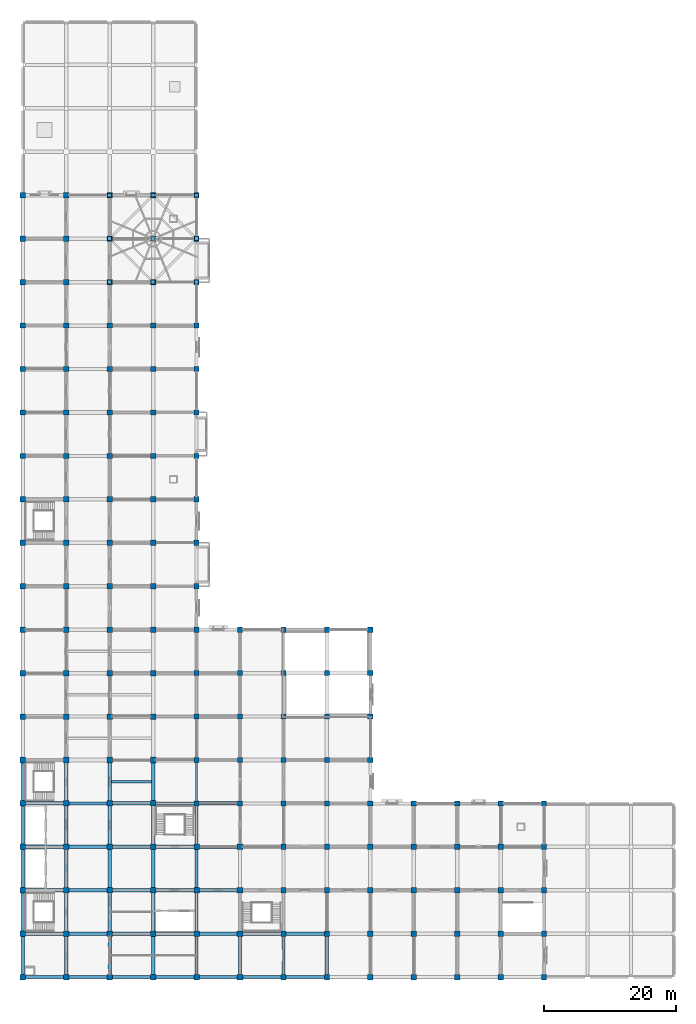
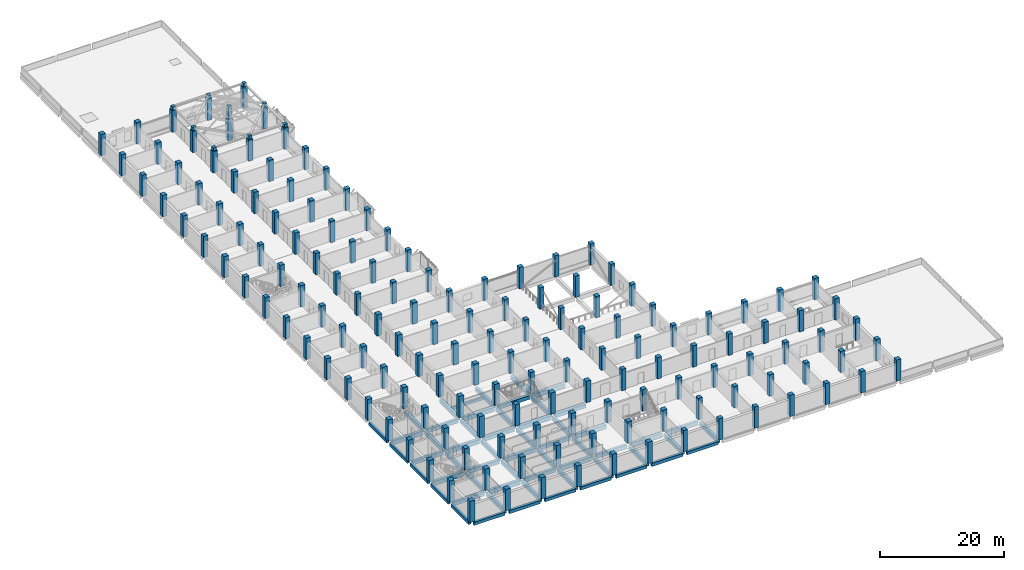
# One storey, part 1 of 30: 160 columns, 58 beams.
"""IFC4 building model written with IfcOpenShell, lengths in metres."""

from ifc_helpers import new_model, si_unit, direction, frame, origin, origin_2d, place, context, subcontext, project, spatial, rectangle, extrude, material, material_profile, profile_set, type_object, element, save


model = new_model("IFC4")

# Units and contexts
model_context = context("Model", 3, precision=1e-05, world=origin(), true_north=direction((0.0, 1.0)))
body_context = subcontext(model_context, "Body", "Model", "MODEL_VIEW")
ifc_project = project(units=[si_unit("LENGTHUNIT", "METRE"), si_unit("AREAUNIT", "SQUARE_METRE"), si_unit("VOLUMEUNIT", "CUBIC_METRE"), si_unit("PLANEANGLEUNIT", "RADIAN"), si_unit("MASSUNIT", "GRAM", prefix="KILO")], contexts=[model_context])

# Site, building, storey
site_placement = place(None, origin())
site = spatial("IfcSite", under=ifc_project, at=site_placement, CompositionType="ELEMENT")
building_placement = place(site_placement, origin())
building = spatial("IfcBuilding", under=site, at=building_placement, Name="Rusizi Kubbe Research Institute", CompositionType="ELEMENT")
storey_placement = place(building_placement, frame((0.0, 0.0, 10.199951171875)))
storey = spatial("IfcBuildingStorey", under=building, at=storey_placement, Name="L02", CompositionType="ELEMENT", Elevation=10.199951171875)

# Columns
ifc_material_1 = material(Name="Concrete C40/50", Category="concrete")
ifc_material_profile_1 = material_profile(ifc_material_1, rectangle(XDim=0.60009765625, YDim=0.60009765625, at=origin_2d()), Name="RC600x600")
ifc_profile_set_1 = profile_set([ifc_material_profile_1], Name="Concrete C40/50")
column_type_1 = type_object("IfcColumnType", Name="COL-600", PredefinedType="COLUMN", material=ifc_profile_set_1)
for number, where, z_axis, x_axis, name in (
    (1, (13.199951171875, 105.60009765625, 4.199951171875), (0.0, 0.0, 1.0), (1.0, 0.0, 0.0), "Kubbe Drum Pedestal Column DOME-LEC-01"),
    (2, (19.800048828125, 105.60009765625, 4.199951171875), (0.0, 0.0, 1.0), (1.0, 0.0, 0.0), "Kubbe Drum Pedestal Column DOME-LEC-02"),
    (3, (26.39990234375, 105.60009765625, 4.199951171875), (0.0, 0.0, 1.0), (1.0, 0.0, 0.0), "Kubbe Drum Pedestal Column DOME-LEC-03"),
    (4, (26.39990234375, 112.199951171875, 4.199951171875), (0.0, 0.0, 1.0), (1.0, 0.0, 0.0), "Kubbe Drum Pedestal Column DOME-LEC-04"),
    (5, (26.39990234375, 118.800048828125, 4.199951171875), (0.0, 0.0, 1.0), (1.0, 0.0, 0.0), "Kubbe Drum Pedestal Column DOME-LEC-05"),
    (6, (19.800048828125, 118.800048828125, 4.199951171875), (0.0, 0.0, 1.0), (1.0, 0.0, 0.0), "Kubbe Drum Pedestal Column DOME-LEC-06"),
    (7, (13.199951171875, 118.800048828125, 4.199951171875), (0.0, 0.0, 1.0), (1.0, 0.0, 0.0), "Kubbe Drum Pedestal Column DOME-LEC-07"),
    (8, (13.199951171875, 112.199951171875, 4.199951171875), (0.0, 0.0, 1.0), (1.0, 0.0, 0.0), "Kubbe Drum Pedestal Column DOME-LEC-08"),
):
    element("IfcColumn", number, at=place(storey_placement, frame(where, z_axis=z_axis, x_axis=x_axis)), inside=storey, type_object=column_type_1, Name=name, PredefinedType="COLUMN", context=body_context, shape_type="SweptSolid", body=[
        extrude(rectangle(XDim=0.60009765625, YDim=0.60009765625, at=origin_2d()), origin(), (0.0, 0.0, 1.0), 0.650146484375),
    ])
column_placement = place(storey_placement, frame((19.800048828125, 112.199951171875, 4.199951171875), z_axis=(0.0, 0.0, 1.0), x_axis=(1.0, 0.0, 0.0)))
element("IfcColumn", 9, at=column_placement, inside=storey, type_object=column_type_1, Name="Kubbe Central King-Post DOME-LEC", PredefinedType="COLUMN", context=body_context, shape_type="SweptSolid", body=[
    extrude(rectangle(XDim=0.60009765625, YDim=0.60009765625, at=origin_2d()), origin(), (0.0, 0.0, 1.0), 2.460205078125),
])
ifc_material_2 = material(Name="Concrete C45/55", Category="concrete")
ifc_material_profile_2 = material_profile(ifc_material_2, rectangle(XDim=0.800048828125, YDim=0.800048828125, at=origin_2d()), Name="RC800x800")
ifc_profile_set_2 = profile_set([ifc_material_profile_2], Name="Concrete C45/55")
column_type_2 = type_object("IfcColumnType", Name="COL-800", PredefinedType="COLUMN", material=ifc_profile_set_2)
for number, where, z_axis, x_axis, name in (
    (10, (0.0, 59.39990234375, 0.0), (0.0, 0.0, 1.0), (1.0, 0.0, 0.0), "Column 1K L02"),
    (11, (0.0, 66.0, 0.0), (0.0, 0.0, 1.0), (1.0, 0.0, 0.0), "Column 1L L02"),
    (12, (0.0, 72.60009765625, 0.0), (0.0, 0.0, 1.0), (1.0, 0.0, 0.0), "Column 1M L02"),
    (13, (0.0, 79.199951171875, 0.0), (0.0, 0.0, 1.0), (1.0, 0.0, 0.0), "Column 1N L02"),
    (14, (0.0, 85.800048828125, 0.0), (0.0, 0.0, 1.0), (1.0, 0.0, 0.0), "Column 1P L02"),
    (15, (0.0, 92.39990234375, 0.0), (0.0, 0.0, 1.0), (1.0, 0.0, 0.0), "Column 1Q L02"),
    (16, (0.0, 99.0, 0.0), (0.0, 0.0, 1.0), (1.0, 0.0, 0.0), "Column 1R L02"),
    (17, (0.0, 105.60009765625, 0.0), (0.0, 0.0, 1.0), (1.0, 0.0, 0.0), "Column 1S L02"),
    (18, (0.0, 112.199951171875, 0.0), (0.0, 0.0, 1.0), (1.0, 0.0, 0.0), "Column 1T L02"),
    (19, (0.0, 118.800048828125, 0.0), (0.0, 0.0, 1.0), (1.0, 0.0, 0.0), "Column 1U L02"),
    (20, (6.60009765625, 59.39990234375, 0.0), (0.0, 0.0, 1.0), (1.0, 0.0, 0.0), "Column 2K L02"),
    (21, (6.60009765625, 66.0, 0.0), (0.0, 0.0, 1.0), (1.0, 0.0, 0.0), "Column 2L L02"),
    (22, (6.60009765625, 72.60009765625, 0.0), (0.0, 0.0, 1.0), (1.0, 0.0, 0.0), "Column 2M L02"),
    (23, (6.60009765625, 79.199951171875, 0.0), (0.0, 0.0, 1.0), (1.0, 0.0, 0.0), "Column 2N L02"),
    (24, (6.60009765625, 85.800048828125, 0.0), (0.0, 0.0, 1.0), (1.0, 0.0, 0.0), "Column 2P L02"),
    (25, (6.60009765625, 92.39990234375, 0.0), (0.0, 0.0, 1.0), (1.0, 0.0, 0.0), "Column 2Q L02"),
    (26, (6.60009765625, 99.0, 0.0), (0.0, 0.0, 1.0), (1.0, 0.0, 0.0), "Column 2R L02"),
    (27, (6.60009765625, 105.60009765625, 0.0), (0.0, 0.0, 1.0), (1.0, 0.0, 0.0), "Column 2S L02"),
    (28, (6.60009765625, 112.199951171875, 0.0), (0.0, 0.0, 1.0), (1.0, 0.0, 0.0), "Column 2T L02"),
    (29, (6.60009765625, 118.800048828125, 0.0), (0.0, 0.0, 1.0), (1.0, 0.0, 0.0), "Column 2U L02"),
    (30, (13.199951171875, 59.39990234375, 0.0), (0.0, 0.0, 1.0), (1.0, 0.0, 0.0), "Column 3K L02"),
    (31, (13.199951171875, 66.0, 0.0), (0.0, 0.0, 1.0), (1.0, 0.0, 0.0), "Column 3L L02"),
    (32, (13.199951171875, 72.60009765625, 0.0), (0.0, 0.0, 1.0), (1.0, 0.0, 0.0), "Column 3M L02"),
    (33, (13.199951171875, 79.199951171875, 0.0), (0.0, 0.0, 1.0), (1.0, 0.0, 0.0), "Column 3N L02"),
    (34, (13.199951171875, 85.800048828125, 0.0), (0.0, 0.0, 1.0), (1.0, 0.0, 0.0), "Column 3P L02"),
    (35, (13.199951171875, 92.39990234375, 0.0), (0.0, 0.0, 1.0), (1.0, 0.0, 0.0), "Column 3Q L02"),
    (36, (13.199951171875, 99.0, 0.0), (0.0, 0.0, 1.0), (1.0, 0.0, 0.0), "Column 3R L02"),
    (37, (13.199951171875, 105.60009765625, 0.0), (0.0, 0.0, 1.0), (1.0, 0.0, 0.0), "Column 3S L02"),
    (38, (13.199951171875, 112.199951171875, 0.0), (0.0, 0.0, 1.0), (1.0, 0.0, 0.0), "Column 3T L02"),
    (39, (13.199951171875, 118.800048828125, 0.0), (0.0, 0.0, 1.0), (1.0, 0.0, 0.0), "Column 3U L02"),
    (40, (19.800048828125, 59.39990234375, 0.0), (0.0, 0.0, 1.0), (1.0, 0.0, 0.0), "Column 4K L02"),
    (41, (19.800048828125, 66.0, 0.0), (0.0, 0.0, 1.0), (1.0, 0.0, 0.0), "Column 4L L02"),
    (42, (19.800048828125, 72.60009765625, 0.0), (0.0, 0.0, 1.0), (1.0, 0.0, 0.0), "Column 4M L02"),
    (43, (19.800048828125, 79.199951171875, 0.0), (0.0, 0.0, 1.0), (1.0, 0.0, 0.0), "Column 4N L02"),
    (44, (19.800048828125, 85.800048828125, 0.0), (0.0, 0.0, 1.0), (1.0, 0.0, 0.0), "Column 4P L02"),
    (45, (19.800048828125, 92.39990234375, 0.0), (0.0, 0.0, 1.0), (1.0, 0.0, 0.0), "Column 4Q L02"),
    (46, (19.800048828125, 99.0, 0.0), (0.0, 0.0, 1.0), (1.0, 0.0, 0.0), "Column 4R L02"),
    (47, (19.800048828125, 105.60009765625, 0.0), (0.0, 0.0, 1.0), (1.0, 0.0, 0.0), "Column 4S L02"),
    (48, (19.800048828125, 112.199951171875, 0.0), (0.0, 0.0, 1.0), (1.0, 0.0, 0.0), "Column 4T L02"),
    (49, (19.800048828125, 118.800048828125, 0.0), (0.0, 0.0, 1.0), (1.0, 0.0, 0.0), "Column 4U L02"),
    (50, (26.39990234375, 26.39990234375, 0.0), (0.0, 0.0, 1.0), (1.0, 0.0, 0.0), "Column 5E L02"),
    (51, (26.39990234375, 33.0, 0.0), (0.0, 0.0, 1.0), (1.0, 0.0, 0.0), "Column 5F L02"),
    (52, (26.39990234375, 39.60009765625, 0.0), (0.0, 0.0, 1.0), (1.0, 0.0, 0.0), "Column 5G L02"),
    (53, (26.39990234375, 46.199951171875, 0.0), (0.0, 0.0, 1.0), (1.0, 0.0, 0.0), "Column 5H L02"),
    (54, (26.39990234375, 52.800048828125, 0.0), (0.0, 0.0, 1.0), (1.0, 0.0, 0.0), "Column 5J L02"),
    (55, (26.39990234375, 59.39990234375, 0.0), (0.0, 0.0, 1.0), (1.0, 0.0, 0.0), "Column 5K L02"),
    (56, (26.39990234375, 66.0, 0.0), (0.0, 0.0, 1.0), (1.0, 0.0, 0.0), "Column 5L L02"),
    (57, (26.39990234375, 72.60009765625, 0.0), (0.0, 0.0, 1.0), (1.0, 0.0, 0.0), "Column 5M L02"),
    (58, (26.39990234375, 79.199951171875, 0.0), (0.0, 0.0, 1.0), (1.0, 0.0, 0.0), "Column 5N L02"),
    (59, (26.39990234375, 85.800048828125, 0.0), (0.0, 0.0, 1.0), (1.0, 0.0, 0.0), "Column 5P L02"),
    (60, (26.39990234375, 92.39990234375, 0.0), (0.0, 0.0, 1.0), (1.0, 0.0, 0.0), "Column 5Q L02"),
    (61, (26.39990234375, 99.0, 0.0), (0.0, 0.0, 1.0), (1.0, 0.0, 0.0), "Column 5R L02"),
    (62, (26.39990234375, 105.60009765625, 0.0), (0.0, 0.0, 1.0), (1.0, 0.0, 0.0), "Column 5S L02"),
    (63, (26.39990234375, 112.199951171875, 0.0), (0.0, 0.0, 1.0), (1.0, 0.0, 0.0), "Column 5T L02"),
    (64, (26.39990234375, 118.800048828125, 0.0), (0.0, 0.0, 1.0), (1.0, 0.0, 0.0), "Column 5U L02"),
    (65, (33.0, 26.39990234375, 0.0), (0.0, 0.0, 1.0), (1.0, 0.0, 0.0), "Column 6E L02"),
    (66, (33.0, 33.0, 0.0), (0.0, 0.0, 1.0), (1.0, 0.0, 0.0), "Column 6F L02"),
    (67, (33.0, 39.60009765625, 0.0), (0.0, 0.0, 1.0), (1.0, 0.0, 0.0), "Column 6G L02"),
    (68, (33.0, 46.199951171875, 0.0), (0.0, 0.0, 1.0), (1.0, 0.0, 0.0), "Column 6H L02"),
    (69, (33.0, 52.800048828125, 0.0), (0.0, 0.0, 1.0), (1.0, 0.0, 0.0), "Column 6J L02"),
    (70, (39.60009765625, 0.0, 0.0), (0.0, 0.0, 1.0), (1.0, 0.0, 0.0), "Column 7A L02"),
    (71, (39.60009765625, 6.60009765625, 0.0), (0.0, 0.0, 1.0), (1.0, 0.0, 0.0), "Column 7B L02"),
    (72, (39.60009765625, 13.199951171875, 0.0), (0.0, 0.0, 1.0), (1.0, 0.0, 0.0), "Column 7C L02"),
    (73, (39.60009765625, 19.800048828125, 0.0), (0.0, 0.0, 1.0), (1.0, 0.0, 0.0), "Column 7D L02"),
    (74, (39.60009765625, 26.39990234375, 0.0), (0.0, 0.0, 1.0), (1.0, 0.0, 0.0), "Column 7E L02"),
    (75, (39.60009765625, 33.0, 0.0), (0.0, 0.0, 1.0), (1.0, 0.0, 0.0), "Column 7F L02"),
    (76, (39.60009765625, 39.60009765625, 0.0), (0.0, 0.0, 1.0), (1.0, 0.0, 0.0), "Column 7G L02"),
    (77, (39.60009765625, 46.199951171875, 0.0), (0.0, 0.0, 1.0), (1.0, 0.0, 0.0), "Column 7H L02"),
    (78, (39.60009765625, 52.800048828125, 0.0), (0.0, 0.0, 1.0), (1.0, 0.0, 0.0), "Column 7J L02"),
    (79, (46.199951171875, 0.0, 0.0), (0.0, 0.0, 1.0), (1.0, 0.0, 0.0), "Column 8A L02"),
    (80, (46.199951171875, 6.60009765625, 0.0), (0.0, 0.0, 1.0), (1.0, 0.0, 0.0), "Column 8B L02"),
    (81, (46.199951171875, 13.199951171875, 0.0), (0.0, 0.0, 1.0), (1.0, 0.0, 0.0), "Column 8C L02"),
    (82, (46.199951171875, 19.800048828125, 0.0), (0.0, 0.0, 1.0), (1.0, 0.0, 0.0), "Column 8D L02"),
    (83, (46.199951171875, 26.39990234375, 0.0), (0.0, 0.0, 1.0), (1.0, 0.0, 0.0), "Column 8E L02"),
    (84, (46.199951171875, 33.0, 0.0), (0.0, 0.0, 1.0), (1.0, 0.0, 0.0), "Column 8F L02"),
    (85, (46.199951171875, 39.60009765625, 0.0), (0.0, 0.0, 1.0), (1.0, 0.0, 0.0), "Column 8G L02"),
    (86, (46.199951171875, 46.199951171875, 0.0), (0.0, 0.0, 1.0), (1.0, 0.0, 0.0), "Column 8H L02"),
    (87, (46.199951171875, 52.800048828125, 0.0), (0.0, 0.0, 1.0), (1.0, 0.0, 0.0), "Column 8J L02"),
    (88, (52.800048828125, 0.0, 0.0), (0.0, 0.0, 1.0), (1.0, 0.0, 0.0), "Column 9A L02"),
    (89, (52.800048828125, 6.60009765625, 0.0), (0.0, 0.0, 1.0), (1.0, 0.0, 0.0), "Column 9B L02"),
    (90, (52.800048828125, 13.199951171875, 0.0), (0.0, 0.0, 1.0), (1.0, 0.0, 0.0), "Column 9C L02"),
    (91, (52.800048828125, 19.800048828125, 0.0), (0.0, 0.0, 1.0), (1.0, 0.0, 0.0), "Column 9D L02"),
    (92, (52.800048828125, 26.39990234375, 0.0), (0.0, 0.0, 1.0), (1.0, 0.0, 0.0), "Column 9E L02"),
    (93, (52.800048828125, 33.0, 0.0), (0.0, 0.0, 1.0), (1.0, 0.0, 0.0), "Column 9F L02"),
    (94, (52.800048828125, 39.60009765625, 0.0), (0.0, 0.0, 1.0), (1.0, 0.0, 0.0), "Column 9G L02"),
    (95, (52.800048828125, 46.199951171875, 0.0), (0.0, 0.0, 1.0), (1.0, 0.0, 0.0), "Column 9H L02"),
    (96, (52.800048828125, 52.800048828125, 0.0), (0.0, 0.0, 1.0), (1.0, 0.0, 0.0), "Column 9J L02"),
    (97, (59.39990234375, 0.0, 0.0), (0.0, 0.0, 1.0), (1.0, 0.0, 0.0), "Column 10A L02"),
    (98, (59.39990234375, 6.60009765625, 0.0), (0.0, 0.0, 1.0), (1.0, 0.0, 0.0), "Column 10B L02"),
    (99, (59.39990234375, 13.199951171875, 0.0), (0.0, 0.0, 1.0), (1.0, 0.0, 0.0), "Column 10C L02"),
    (100, (59.39990234375, 19.800048828125, 0.0), (0.0, 0.0, 1.0), (1.0, 0.0, 0.0), "Column 10D L02"),
    (101, (59.39990234375, 26.39990234375, 0.0), (0.0, 0.0, 1.0), (1.0, 0.0, 0.0), "Column 10E L02"),
    (102, (66.0, 0.0, 0.0), (0.0, 0.0, 1.0), (1.0, 0.0, 0.0), "Column 11A L02"),
    (103, (66.0, 6.60009765625, 0.0), (0.0, 0.0, 1.0), (1.0, 0.0, 0.0), "Column 11B L02"),
    (104, (66.0, 13.199951171875, 0.0), (0.0, 0.0, 1.0), (1.0, 0.0, 0.0), "Column 11C L02"),
    (105, (66.0, 19.800048828125, 0.0), (0.0, 0.0, 1.0), (1.0, 0.0, 0.0), "Column 11D L02"),
    (106, (66.0, 26.39990234375, 0.0), (0.0, 0.0, 1.0), (1.0, 0.0, 0.0), "Column 11E L02"),
    (107, (72.60009765625, 0.0, 0.0), (0.0, 0.0, 1.0), (1.0, 0.0, 0.0), "Column 12A L02"),
    (108, (72.60009765625, 6.60009765625, 0.0), (0.0, 0.0, 1.0), (1.0, 0.0, 0.0), "Column 12B L02"),
    (109, (72.60009765625, 13.199951171875, 0.0), (0.0, 0.0, 1.0), (1.0, 0.0, 0.0), "Column 12C L02"),
    (110, (72.60009765625, 19.800048828125, 0.0), (0.0, 0.0, 1.0), (1.0, 0.0, 0.0), "Column 12D L02"),
    (111, (72.60009765625, 26.39990234375, 0.0), (0.0, 0.0, 1.0), (1.0, 0.0, 0.0), "Column 12E L02"),
    (112, (79.199951171875, 0.0, 0.0), (0.0, 0.0, 1.0), (1.0, 0.0, 0.0), "Column 13A L02"),
    (113, (79.199951171875, 6.60009765625, 0.0), (0.0, 0.0, 1.0), (1.0, 0.0, 0.0), "Column 13B L02"),
    (114, (79.199951171875, 13.199951171875, 0.0), (0.0, 0.0, 1.0), (1.0, 0.0, 0.0), "Column 13C L02"),
    (115, (79.199951171875, 19.800048828125, 0.0), (0.0, 0.0, 1.0), (1.0, 0.0, 0.0), "Column 13D L02"),
    (116, (79.199951171875, 26.39990234375, 0.0), (0.0, 0.0, 1.0), (1.0, 0.0, 0.0), "Column 13E L02"),
):
    element("IfcColumn", number, at=place(storey_placement, frame(where, z_axis=z_axis, x_axis=x_axis)), inside=storey, type_object=column_type_2, Name=name, PredefinedType="COLUMN", context=body_context, shape_type="SweptSolid", body=[
        extrude(rectangle(XDim=0.800048828125, YDim=0.800048828125, at=origin_2d()), origin(), (0.0, 0.0, 1.0), 4.199951171875),
    ])
ifc_material_3 = material(Name="Concrete C45/55", Category="concrete")
ifc_material_profile_3 = material_profile(ifc_material_3, rectangle(XDim=0.85009765625, YDim=0.85009765625, at=origin_2d()), Name="RC850x850")
ifc_profile_set_3 = profile_set([ifc_material_profile_3], Name="Concrete C45/55")
column_type_3 = type_object("IfcColumnType", Name="COL-850", PredefinedType="COLUMN", material=ifc_profile_set_3)
for number, where, z_axis, x_axis, name in (
    (117, (0.0, 0.0, 0.0), (0.0, 0.0, 1.0), (1.0, 0.0, 0.0), "Column 1A L02"),
    (118, (0.0, 6.60009765625, 0.0), (0.0, 0.0, 1.0), (1.0, 0.0, 0.0), "Column 1B L02"),
    (119, (0.0, 13.199951171875, 0.0), (0.0, 0.0, 1.0), (1.0, 0.0, 0.0), "Column 1C L02"),
    (120, (0.0, 19.800048828125, 0.0), (0.0, 0.0, 1.0), (1.0, 0.0, 0.0), "Column 1D L02"),
    (121, (0.0, 26.39990234375, 0.0), (0.0, 0.0, 1.0), (1.0, 0.0, 0.0), "Column 1E L02"),
    (122, (0.0, 33.0, 0.0), (0.0, 0.0, 1.0), (1.0, 0.0, 0.0), "Column 1F L02"),
    (123, (0.0, 39.60009765625, 0.0), (0.0, 0.0, 1.0), (1.0, 0.0, 0.0), "Column 1G L02"),
    (124, (0.0, 46.199951171875, 0.0), (0.0, 0.0, 1.0), (1.0, 0.0, 0.0), "Column 1H L02"),
    (125, (0.0, 52.800048828125, 0.0), (0.0, 0.0, 1.0), (1.0, 0.0, 0.0), "Column 1J L02"),
    (126, (6.60009765625, 0.0, 0.0), (0.0, 0.0, 1.0), (1.0, 0.0, 0.0), "Column 2A L02"),
    (127, (6.60009765625, 6.60009765625, 0.0), (0.0, 0.0, 1.0), (1.0, 0.0, 0.0), "Column 2B L02"),
    (128, (6.60009765625, 13.199951171875, 0.0), (0.0, 0.0, 1.0), (1.0, 0.0, 0.0), "Column 2C L02"),
    (129, (6.60009765625, 19.800048828125, 0.0), (0.0, 0.0, 1.0), (1.0, 0.0, 0.0), "Column 2D L02"),
    (130, (6.60009765625, 26.39990234375, 0.0), (0.0, 0.0, 1.0), (1.0, 0.0, 0.0), "Column 2E L02"),
    (131, (6.60009765625, 33.0, 0.0), (0.0, 0.0, 1.0), (1.0, 0.0, 0.0), "Column 2F L02"),
    (132, (6.60009765625, 39.60009765625, 0.0), (0.0, 0.0, 1.0), (1.0, 0.0, 0.0), "Column 2G L02"),
    (133, (6.60009765625, 46.199951171875, 0.0), (0.0, 0.0, 1.0), (1.0, 0.0, 0.0), "Column 2H L02"),
    (134, (6.60009765625, 52.800048828125, 0.0), (0.0, 0.0, 1.0), (1.0, 0.0, 0.0), "Column 2J L02"),
    (135, (13.199951171875, 0.0, 0.0), (0.0, 0.0, 1.0), (1.0, 0.0, 0.0), "Column 3A L02"),
    (136, (13.199951171875, 6.60009765625, 0.0), (0.0, 0.0, 1.0), (1.0, 0.0, 0.0), "Column 3B L02"),
    (137, (13.199951171875, 13.199951171875, 0.0), (0.0, 0.0, 1.0), (1.0, 0.0, 0.0), "Column 3C L02"),
    (138, (13.199951171875, 19.800048828125, 0.0), (0.0, 0.0, 1.0), (1.0, 0.0, 0.0), "Column 3D L02"),
    (139, (13.199951171875, 26.39990234375, 0.0), (0.0, 0.0, 1.0), (1.0, 0.0, 0.0), "Column 3E L02"),
    (140, (13.199951171875, 33.0, 0.0), (0.0, 0.0, 1.0), (1.0, 0.0, 0.0), "Column 3F L02"),
    (141, (13.199951171875, 39.60009765625, 0.0), (0.0, 0.0, 1.0), (1.0, 0.0, 0.0), "Column 3G L02"),
    (142, (13.199951171875, 46.199951171875, 0.0), (0.0, 0.0, 1.0), (1.0, 0.0, 0.0), "Column 3H L02"),
    (143, (13.199951171875, 52.800048828125, 0.0), (0.0, 0.0, 1.0), (1.0, 0.0, 0.0), "Column 3J L02"),
    (144, (19.800048828125, 0.0, 0.0), (0.0, 0.0, 1.0), (1.0, 0.0, 0.0), "Column 4A L02"),
    (145, (19.800048828125, 6.60009765625, 0.0), (0.0, 0.0, 1.0), (1.0, 0.0, 0.0), "Column 4B L02"),
    (146, (19.800048828125, 13.199951171875, 0.0), (0.0, 0.0, 1.0), (1.0, 0.0, 0.0), "Column 4C L02"),
    (147, (19.800048828125, 19.800048828125, 0.0), (0.0, 0.0, 1.0), (1.0, 0.0, 0.0), "Column 4D L02"),
    (148, (19.800048828125, 26.39990234375, 0.0), (0.0, 0.0, 1.0), (1.0, 0.0, 0.0), "Column 4E L02"),
    (149, (19.800048828125, 33.0, 0.0), (0.0, 0.0, 1.0), (1.0, 0.0, 0.0), "Column 4F L02"),
    (150, (19.800048828125, 39.60009765625, 0.0), (0.0, 0.0, 1.0), (1.0, 0.0, 0.0), "Column 4G L02"),
    (151, (19.800048828125, 46.199951171875, 0.0), (0.0, 0.0, 1.0), (1.0, 0.0, 0.0), "Column 4H L02"),
    (152, (19.800048828125, 52.800048828125, 0.0), (0.0, 0.0, 1.0), (1.0, 0.0, 0.0), "Column 4J L02"),
    (153, (26.39990234375, 0.0, 0.0), (0.0, 0.0, 1.0), (1.0, 0.0, 0.0), "Column 5A L02"),
    (154, (26.39990234375, 6.60009765625, 0.0), (0.0, 0.0, 1.0), (1.0, 0.0, 0.0), "Column 5B L02"),
    (155, (26.39990234375, 13.199951171875, 0.0), (0.0, 0.0, 1.0), (1.0, 0.0, 0.0), "Column 5C L02"),
    (156, (26.39990234375, 19.800048828125, 0.0), (0.0, 0.0, 1.0), (1.0, 0.0, 0.0), "Column 5D L02"),
    (157, (33.0, 0.0, 0.0), (0.0, 0.0, 1.0), (1.0, 0.0, 0.0), "Column 6A L02"),
    (158, (33.0, 6.60009765625, 0.0), (0.0, 0.0, 1.0), (1.0, 0.0, 0.0), "Column 6B L02"),
    (159, (33.0, 13.199951171875, 0.0), (0.0, 0.0, 1.0), (1.0, 0.0, 0.0), "Column 6C L02"),
    (160, (33.0, 19.800048828125, 0.0), (0.0, 0.0, 1.0), (1.0, 0.0, 0.0), "Column 6D L02"),
):
    element("IfcColumn", number, at=place(storey_placement, frame(where, z_axis=z_axis, x_axis=x_axis)), inside=storey, type_object=column_type_3, Name=name, PredefinedType="COLUMN", context=body_context, shape_type="SweptSolid", body=[
        extrude(rectangle(XDim=0.85009765625, YDim=0.85009765625, at=origin_2d()), origin(), (0.0, 0.0, 1.0), 4.199951171875),
    ])

# Beams
ifc_material_4 = material(Name="Concrete C40/50", Category="concrete")
ifc_material_profile_4 = material_profile(ifc_material_4, rectangle(XDim=0.35009765625, YDim=0.550048828125, at=origin_2d()), Name="RC350x550")
ifc_profile_set_4 = profile_set([ifc_material_profile_4], Name="Concrete C40/50")
beam_type_1 = type_object("IfcBeamType", Name="BM-RC350x550", PredefinedType="JOIST", material=ifc_profile_set_4)
beam_1_placement = place(storey_placement, frame((13.449951171875, 29.699951171875, -0.625), z_axis=(1.0, 0.0, 0.0), x_axis=(0.0, 1.0, 0.0)))
element("IfcBeam", 161, at=beam_1_placement, inside=storey, type_object=beam_type_1, Name="Lab Stiffener Joist L02 (2,4)", PredefinedType="JOIST", context=body_context, shape_type="SweptSolid", body=[
    extrude(rectangle(XDim=0.35009765625, YDim=0.550048828125, at=origin_2d()), origin(), (0.0, 0.0, 1.0), 6.10009765625),
])
ifc_material_5 = material(Name="Concrete C40/50", Category="concrete")
ifc_material_profile_5 = material_profile(ifc_material_5, rectangle(XDim=0.449951171875, YDim=0.60009765625, at=origin_2d()), Name="RC450x600")
ifc_profile_set_5 = profile_set([ifc_material_profile_5], Name="Concrete C40/50")
beam_type_2 = type_object("IfcBeamType", Name="BM-RC450x600", PredefinedType="SPANDREL", material=ifc_profile_set_5)
for number, where, z_axis, x_axis, name in (
    (162, (0.425048828125, 0.0, -0.64990234375), (1.0, 0.0, 0.0), (0.0, 1.0, 0.0), "Grid Beam H L02 (0,0)"),
    (163, (7.02490234375, 0.0, -0.64990234375), (1.0, 0.0, 0.0), (0.0, 1.0, 0.0), "Grid Beam H L02 (1,0)"),
    (164, (13.625, 0.0, -0.64990234375), (1.0, 0.0, 0.0), (0.0, 1.0, 0.0), "Grid Beam H L02 (2,0)"),
    (165, (20.22509765625, 0.0, -0.64990234375), (1.0, 0.0, 0.0), (0.0, 1.0, 0.0), "Grid Beam H L02 (3,0)"),
    (166, (26.824951171875, 0.0, -0.64990234375), (1.0, 0.0, 0.0), (0.0, 1.0, 0.0), "Grid Beam H L02 (4,0)"),
):
    element("IfcBeam", number, at=place(storey_placement, frame(where, z_axis=z_axis, x_axis=x_axis)), inside=storey, type_object=beam_type_2, Name=name, PredefinedType="SPANDREL", context=body_context, shape_type="SweptSolid", body=[
        extrude(rectangle(XDim=0.449951171875, YDim=0.60009765625, at=origin_2d()), origin(), (0.0, 0.0, 1.0), 5.75),
    ])
beam_2_placement = place(storey_placement, frame((33.425048828125, 0.0, -0.64990234375), z_axis=(1.0, 0.0, 0.0), x_axis=(0.0, 1.0, 0.0)))
element("IfcBeam", 167, at=beam_2_placement, inside=storey, type_object=beam_type_2, Name="Grid Beam H L02 (5,0)", PredefinedType="SPANDREL", context=body_context, shape_type="SweptSolid", body=[
    extrude(rectangle(XDim=0.449951171875, YDim=0.60009765625, at=origin_2d()), origin(), (0.0, 0.0, 1.0), 5.77490234375),
])
beam_3_placement = place(storey_placement, frame((40.0, 0.0, -0.64990234375), z_axis=(1.0, 0.0, 0.0), x_axis=(0.0, 1.0, 0.0)))
element("IfcBeam", 168, at=beam_3_placement, inside=storey, type_object=beam_type_2, Name="Grid Beam H L02 (6,0)", PredefinedType="SPANDREL", context=body_context, shape_type="SweptSolid", body=[
    extrude(rectangle(XDim=0.449951171875, YDim=0.60009765625, at=origin_2d()), origin(), (0.0, 0.0, 1.0), 5.800048828125),
])
for number, where, z_axis, x_axis, name in (
    (169, (0.0, 0.425048828125, -0.64990234375), (0.0, 1.0, 0.0), (-1.0, 0.0, 0.0), "Grid Beam V L02 (0,0)"),
    (170, (0.0, 7.02490234375, -0.64990234375), (0.0, 1.0, 0.0), (-1.0, 0.0, 0.0), "Grid Beam V L02 (0,1)"),
    (171, (0.0, 13.625, -0.64990234375), (0.0, 1.0, 0.0), (-1.0, 0.0, 0.0), "Grid Beam V L02 (0,2)"),
    (172, (0.0, 20.22509765625, -0.64990234375), (0.0, 1.0, 0.0), (-1.0, 0.0, 0.0), "Grid Beam V L02 (0,3)"),
    (173, (0.0, 26.824951171875, -0.64990234375), (0.0, 1.0, 0.0), (-1.0, 0.0, 0.0), "Grid Beam V L02 (0,4)"),
):
    element("IfcBeam", number, at=place(storey_placement, frame(where, z_axis=z_axis, x_axis=x_axis)), inside=storey, type_object=beam_type_2, Name=name, PredefinedType="SPANDREL", context=body_context, shape_type="SweptSolid", body=[
        extrude(rectangle(XDim=0.449951171875, YDim=0.60009765625, at=origin_2d()), origin(), (0.0, 0.0, 1.0), 5.75),
    ])
ifc_material_6 = material(Name="Concrete C45/55", Category="concrete")
ifc_material_profile_6 = material_profile(ifc_material_6, rectangle(XDim=0.5, YDim=0.75, at=origin_2d()), Name="RC500x750B")
ifc_profile_set_6 = profile_set([ifc_material_profile_6], Name="Concrete C45/55")
beam_type_3 = type_object("IfcBeamType", Name="BM-RC500x750", PredefinedType="BEAM", material=ifc_profile_set_6)
for number, where, z_axis, x_axis, name in (
    (174, (0.425048828125, 6.60009765625, -0.724853515625), (1.0, 0.0, 0.0), (0.0, 1.0, 0.0), "Grid Beam H L02 (0,1)"),
    (175, (0.425048828125, 19.800048828125, -0.724853515625), (1.0, 0.0, 0.0), (0.0, 1.0, 0.0), "Grid Beam H L02 (0,3)"),
    (176, (7.02490234375, 13.199951171875, -0.724853515625), (1.0, 0.0, 0.0), (0.0, 1.0, 0.0), "Grid Beam H L02 (1,2)"),
    (177, (7.02490234375, 26.39990234375, -0.724853515625), (1.0, 0.0, 0.0), (0.0, 1.0, 0.0), "Grid Beam H L02 (1,4)"),
    (178, (13.625, 6.60009765625, -0.724853515625), (1.0, 0.0, 0.0), (0.0, 1.0, 0.0), "Grid Beam H L02 (2,1)"),
    (179, (13.625, 19.800048828125, -0.724853515625), (1.0, 0.0, 0.0), (0.0, 1.0, 0.0), "Grid Beam H L02 (2,3)"),
    (180, (20.22509765625, 13.199951171875, -0.724853515625), (1.0, 0.0, 0.0), (0.0, 1.0, 0.0), "Grid Beam H L02 (3,2)"),
):
    element("IfcBeam", number, at=place(storey_placement, frame(where, z_axis=z_axis, x_axis=x_axis)), inside=storey, type_object=beam_type_3, Name=name, PredefinedType="BEAM", context=body_context, shape_type="SweptSolid", body=[
        extrude(rectangle(XDim=0.5, YDim=0.75, at=origin_2d()), origin(), (0.0, 0.0, 1.0), 5.75),
    ])
beam_4_placement = place(storey_placement, frame((20.22509765625, 26.39990234375, -0.724853515625), z_axis=(1.0, 0.0, 0.0), x_axis=(0.0, 1.0, 0.0)))
element("IfcBeam", 181, at=beam_4_placement, inside=storey, type_object=beam_type_3, Name="Grid Beam H L02 (3,4)", PredefinedType="BEAM", context=body_context, shape_type="SweptSolid", body=[
    extrude(rectangle(XDim=0.5, YDim=0.75, at=origin_2d()), origin(), (0.0, 0.0, 1.0), 5.77490234375),
])
for number, where, z_axis, x_axis, name in (
    (182, (26.824951171875, 6.60009765625, -0.724853515625), (1.0, 0.0, 0.0), (0.0, 1.0, 0.0), "Grid Beam H L02 (4,1)"),
    (183, (26.824951171875, 19.800048828125, -0.724853515625), (1.0, 0.0, 0.0), (0.0, 1.0, 0.0), "Grid Beam H L02 (4,3)"),
):
    element("IfcBeam", number, at=place(storey_placement, frame(where, z_axis=z_axis, x_axis=x_axis)), inside=storey, type_object=beam_type_3, Name=name, PredefinedType="BEAM", context=body_context, shape_type="SweptSolid", body=[
        extrude(rectangle(XDim=0.5, YDim=0.75, at=origin_2d()), origin(), (0.0, 0.0, 1.0), 5.75),
    ])
beam_5_placement = place(storey_placement, frame((40.0, 6.60009765625, -0.724853515625), z_axis=(1.0, 0.0, 0.0), x_axis=(0.0, 1.0, 0.0)))
element("IfcBeam", 184, at=beam_5_placement, inside=storey, type_object=beam_type_3, Name="Grid Beam H L02 (6,1)", PredefinedType="BEAM", context=body_context, shape_type="SweptSolid", body=[
    extrude(rectangle(XDim=0.5, YDim=0.75, at=origin_2d()), origin(), (0.0, 0.0, 1.0), 5.800048828125),
])
for number, where, z_axis, x_axis, name in (
    (185, (6.60009765625, 0.425048828125, -0.724853515625), (0.0, 1.0, 0.0), (-1.0, 0.0, 0.0), "Grid Beam V L02 (1,0)"),
    (186, (6.60009765625, 7.02490234375, -0.724853515625), (0.0, 1.0, 0.0), (-1.0, 0.0, 0.0), "Grid Beam V L02 (1,1)"),
    (187, (6.60009765625, 13.625, -0.724853515625), (0.0, 1.0, 0.0), (-1.0, 0.0, 0.0), "Grid Beam V L02 (1,2)"),
    (188, (6.60009765625, 20.22509765625, -0.724853515625), (0.0, 1.0, 0.0), (-1.0, 0.0, 0.0), "Grid Beam V L02 (1,3)"),
    (189, (6.60009765625, 26.824951171875, -0.724853515625), (0.0, 1.0, 0.0), (-1.0, 0.0, 0.0), "Grid Beam V L02 (1,4)"),
    (190, (13.199951171875, 0.425048828125, -0.724853515625), (0.0, 1.0, 0.0), (-1.0, 0.0, 0.0), "Grid Beam V L02 (2,0)"),
    (191, (13.199951171875, 7.02490234375, -0.724853515625), (0.0, 1.0, 0.0), (-1.0, 0.0, 0.0), "Grid Beam V L02 (2,1)"),
    (192, (13.199951171875, 13.625, -0.724853515625), (0.0, 1.0, 0.0), (-1.0, 0.0, 0.0), "Grid Beam V L02 (2,2)"),
    (193, (13.199951171875, 20.22509765625, -0.724853515625), (0.0, 1.0, 0.0), (-1.0, 0.0, 0.0), "Grid Beam V L02 (2,3)"),
    (194, (13.199951171875, 26.824951171875, -0.724853515625), (0.0, 1.0, 0.0), (-1.0, 0.0, 0.0), "Grid Beam V L02 (2,4)"),
    (195, (19.800048828125, 0.425048828125, -0.724853515625), (0.0, 1.0, 0.0), (-1.0, 0.0, 0.0), "Grid Beam V L02 (3,0)"),
    (196, (19.800048828125, 7.02490234375, -0.724853515625), (0.0, 1.0, 0.0), (-1.0, 0.0, 0.0), "Grid Beam V L02 (3,1)"),
    (197, (19.800048828125, 13.625, -0.724853515625), (0.0, 1.0, 0.0), (-1.0, 0.0, 0.0), "Grid Beam V L02 (3,2)"),
    (198, (19.800048828125, 20.22509765625, -0.724853515625), (0.0, 1.0, 0.0), (-1.0, 0.0, 0.0), "Grid Beam V L02 (3,3)"),
    (199, (19.800048828125, 26.824951171875, -0.724853515625), (0.0, 1.0, 0.0), (-1.0, 0.0, 0.0), "Grid Beam V L02 (3,4)"),
    (200, (26.39990234375, 0.425048828125, -0.724853515625), (0.0, 1.0, 0.0), (-1.0, 0.0, 0.0), "Grid Beam V L02 (4,0)"),
    (201, (26.39990234375, 7.02490234375, -0.724853515625), (0.0, 1.0, 0.0), (-1.0, 0.0, 0.0), "Grid Beam V L02 (4,1)"),
    (202, (26.39990234375, 13.625, -0.724853515625), (0.0, 1.0, 0.0), (-1.0, 0.0, 0.0), "Grid Beam V L02 (4,2)"),
):
    element("IfcBeam", number, at=place(storey_placement, frame(where, z_axis=z_axis, x_axis=x_axis)), inside=storey, type_object=beam_type_3, Name=name, PredefinedType="BEAM", context=body_context, shape_type="SweptSolid", body=[
        extrude(rectangle(XDim=0.5, YDim=0.75, at=origin_2d()), origin(), (0.0, 0.0, 1.0), 5.75),
    ])
beam_6_placement = place(storey_placement, frame((26.39990234375, 20.22509765625, -0.724853515625), z_axis=(0.0, 1.0, 0.0), x_axis=(-1.0, 0.0, 0.0)))
element("IfcBeam", 203, at=beam_6_placement, inside=storey, type_object=beam_type_3, Name="Grid Beam V L02 (4,3)", PredefinedType="BEAM", context=body_context, shape_type="SweptSolid", body=[
    extrude(rectangle(XDim=0.5, YDim=0.75, at=origin_2d()), origin(), (0.0, 0.0, 1.0), 5.77490234375),
])
beam_7_placement = place(storey_placement, frame((26.39990234375, 26.800048828125, -0.724853515625), z_axis=(0.0, 1.0, 0.0), x_axis=(-1.0, 0.0, 0.0)))
element("IfcBeam", 204, at=beam_7_placement, inside=storey, type_object=beam_type_3, Name="Grid Beam V L02 (4,4)", PredefinedType="BEAM", context=body_context, shape_type="SweptSolid", body=[
    extrude(rectangle(XDim=0.5, YDim=0.75, at=origin_2d()), origin(), (0.0, 0.0, 1.0), 5.800048828125),
])
beam_8_placement = place(storey_placement, frame((33.0, 0.425048828125, -0.724853515625), z_axis=(0.0, 1.0, 0.0), x_axis=(-1.0, 0.0, 0.0)))
element("IfcBeam", 205, at=beam_8_placement, inside=storey, type_object=beam_type_3, Name="Grid Beam V L02 (5,0)", PredefinedType="BEAM", context=body_context, shape_type="SweptSolid", body=[
    extrude(rectangle(XDim=0.5, YDim=0.75, at=origin_2d()), origin(), (0.0, 0.0, 1.0), 5.75),
])
for number, where, z_axis, x_axis, name in (
    (206, (39.60009765625, 0.39990234375, -0.724853515625), (0.0, 1.0, 0.0), (-1.0, 0.0, 0.0), "Grid Beam V L02 (6,0)"),
    (207, (46.199951171875, 0.39990234375, -0.724853515625), (0.0, 1.0, 0.0), (-1.0, 0.0, 0.0), "Grid Beam V L02 (7,0)"),
):
    element("IfcBeam", number, at=place(storey_placement, frame(where, z_axis=z_axis, x_axis=x_axis)), inside=storey, type_object=beam_type_3, Name=name, PredefinedType="BEAM", context=body_context, shape_type="SweptSolid", body=[
        extrude(rectangle(XDim=0.5, YDim=0.75, at=origin_2d()), origin(), (0.0, 0.0, 1.0), 5.800048828125),
    ])
ifc_material_7 = material(Name="Concrete C45/55", Category="concrete")
ifc_material_profile_7 = material_profile(ifc_material_7, rectangle(XDim=0.550048828125, YDim=0.85009765625, at=origin_2d()), Name="RC550x850")
ifc_profile_set_7 = profile_set([ifc_material_profile_7], Name="Concrete C45/55")
beam_type_4 = type_object("IfcBeamType", Name="BM-RC550x850", PredefinedType="BEAM", material=ifc_profile_set_7)
for number, where, z_axis, x_axis, name in (
    (208, (0.425048828125, 13.199951171875, -0.77490234375), (1.0, 0.0, 0.0), (0.0, 1.0, 0.0), "Grid Beam H L02 (0,2)"),
    (209, (0.425048828125, 26.39990234375, -0.77490234375), (1.0, 0.0, 0.0), (0.0, 1.0, 0.0), "Grid Beam H L02 (0,4)"),
    (210, (7.02490234375, 6.60009765625, -0.77490234375), (1.0, 0.0, 0.0), (0.0, 1.0, 0.0), "Grid Beam H L02 (1,1)"),
    (211, (7.02490234375, 19.800048828125, -0.77490234375), (1.0, 0.0, 0.0), (0.0, 1.0, 0.0), "Grid Beam H L02 (1,3)"),
    (212, (13.625, 13.199951171875, -0.77490234375), (1.0, 0.0, 0.0), (0.0, 1.0, 0.0), "Grid Beam H L02 (2,2)"),
    (213, (13.625, 26.39990234375, -0.77490234375), (1.0, 0.0, 0.0), (0.0, 1.0, 0.0), "Grid Beam H L02 (2,4)"),
    (214, (20.22509765625, 6.60009765625, -0.77490234375), (1.0, 0.0, 0.0), (0.0, 1.0, 0.0), "Grid Beam H L02 (3,1)"),
    (215, (20.22509765625, 19.800048828125, -0.77490234375), (1.0, 0.0, 0.0), (0.0, 1.0, 0.0), "Grid Beam H L02 (3,3)"),
    (216, (26.824951171875, 13.199951171875, -0.77490234375), (1.0, 0.0, 0.0), (0.0, 1.0, 0.0), "Grid Beam H L02 (4,2)"),
):
    element("IfcBeam", number, at=place(storey_placement, frame(where, z_axis=z_axis, x_axis=x_axis)), inside=storey, type_object=beam_type_4, Name=name, PredefinedType="BEAM", context=body_context, shape_type="SweptSolid", body=[
        extrude(rectangle(XDim=0.550048828125, YDim=0.85009765625, at=origin_2d()), origin(), (0.0, 0.0, 1.0), 5.75),
    ])
beam_9_placement = place(storey_placement, frame((26.800048828125, 26.39990234375, -0.77490234375), z_axis=(1.0, 0.0, 0.0), x_axis=(0.0, 1.0, 0.0)))
element("IfcBeam", 217, at=beam_9_placement, inside=storey, type_object=beam_type_4, Name="Grid Beam H L02 (4,4)", PredefinedType="BEAM", context=body_context, shape_type="SweptSolid", body=[
    extrude(rectangle(XDim=0.550048828125, YDim=0.85009765625, at=origin_2d()), origin(), (0.0, 0.0, 1.0), 5.800048828125),
])
beam_10_placement = place(storey_placement, frame((33.425048828125, 6.60009765625, -0.77490234375), z_axis=(1.0, 0.0, 0.0), x_axis=(0.0, 1.0, 0.0)))
element("IfcBeam", 218, at=beam_10_placement, inside=storey, type_object=beam_type_4, Name="Grid Beam H L02 (5,1)", PredefinedType="BEAM", context=body_context, shape_type="SweptSolid", body=[
    extrude(rectangle(XDim=0.550048828125, YDim=0.85009765625, at=origin_2d()), origin(), (0.0, 0.0, 1.0), 5.77490234375),
])

save(model, "model.ifc")
